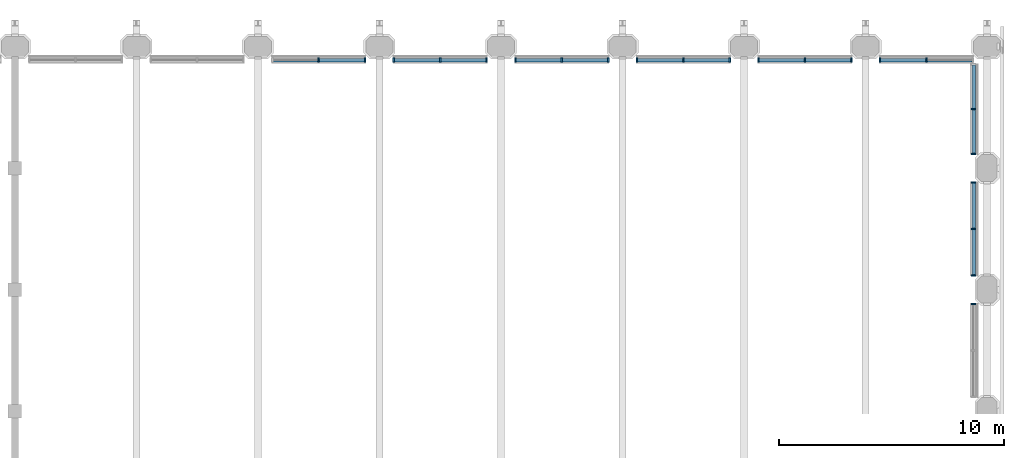
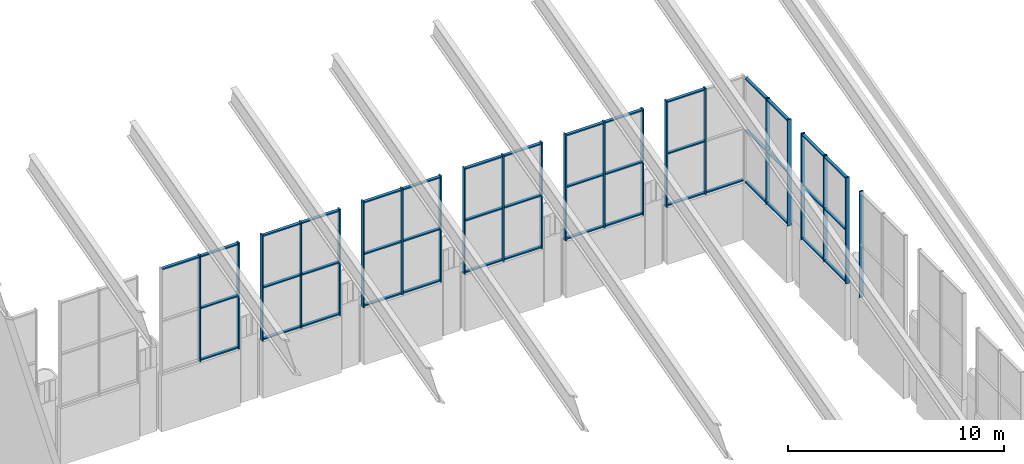
# One storey, part 22 of 42: 66 members, 9 elements without a shape of their own.
"""IFC4 building model written with IfcOpenShell, lengths in metres."""

import ifcopenshell
import ifcopenshell.guid

model = None  # the IFC model being written
_history = None  # IfcOwnerHistory: only IFC2X3 demands one
_inside = {}  # id of a spatial element -> (the spatial element, [elements in it])
_under = {}  # id of a project, library or spatial element -> (it, [spatial elements below it])
_declared = {}  # id of a project -> (the project, [libraries it declares])
_typed = {}  # id of a type object -> (the type object, [elements of that type])
_made_of = {}  # id of a material, layer set ... -> (it, [elements and type objects made of it])


def new_model(schema):
    """Start an empty IFC model of exactly this schema.

    Asked for "IFC4X3", IfcOpenShell would pick the latest addendum, in which some entities
    have other attributes; the version numbers below select the first issue.
    IFC2X3 requires an IfcOwnerHistory on every rooted entity: one is made here for all.
    """
    global model, _history
    if schema == "IFC4X3":
        model = ifcopenshell.file(schema_version=(4, 3, 0, 0))
    else:
        model = ifcopenshell.file(schema=schema)
    _inside.clear()
    _under.clear()
    _declared.clear()
    _typed.clear()
    _made_of.clear()
    _history = None
    if model.schema == "IFC2X3":
        org = make("IfcOrganization", Name="unknown")
        user = make(
            "IfcPersonAndOrganization",
            ThePerson=make("IfcPerson", FamilyName="unknown"),
            TheOrganization=org,
        )
        app = make(
            "IfcApplication",
            ApplicationDeveloper=org,
            Version="unknown",
            ApplicationFullName="unknown",
            ApplicationIdentifier="unknown",
        )
        _history = make(
            "IfcOwnerHistory",
            OwningUser=user,
            OwningApplication=app,
            ChangeAction="ADDED",
            CreationDate=0,
        )
    return model


def make(cls, **values):
    """One entity of the class cls with the attributes given. An attribute that is None is left unset."""
    return model.create_entity(
        cls, **{name: value for name, value in values.items() if value is not None}
    )


def rooted(cls, **values):
    """An entity with a GlobalId (a new one), such as an element, a storey or a relation."""
    return make(cls, GlobalId=ifcopenshell.guid.new(), OwnerHistory=_history, **values)


def si_unit(unit_type, name, prefix=None):
    """IfcSIUnit, for example si_unit("LENGTHUNIT", "METRE", prefix="MILLI")."""
    return make("IfcSIUnit", UnitType=unit_type, Prefix=prefix, Name=name)


def assignment(units):
    """IfcUnitAssignment: the units of a project."""
    return None if units is None else make("IfcUnitAssignment", Units=units)


def point(xyz):
    """IfcCartesianPoint."""
    return None if xyz is None else make("IfcCartesianPoint", Coordinates=xyz)


def direction(xyz):
    """IfcDirection."""
    return None if xyz is None else make("IfcDirection", DirectionRatios=xyz)


def frame(location, z_axis=None, x_axis=None):
    """IfcAxis2Placement3D, a coordinate frame: its origin and axes. An axis left out is left unset."""
    return make(
        "IfcAxis2Placement3D",
        Location=point(location),
        Axis=direction(z_axis),
        RefDirection=direction(x_axis),
    )


def frame_2d(location, x_axis=None):
    """IfcAxis2Placement2D, a coordinate frame in the plane: its origin and x axis."""
    return make(
        "IfcAxis2Placement2D", Location=point(location), RefDirection=direction(x_axis)
    )


def origin():
    """The frame at (0, 0, 0) with its axes left unset."""
    return frame((0.0, 0.0, 0.0))


def origin_2d():
    """The frame at (0, 0) in the plane with its x axis left unset."""
    return frame_2d((0.0, 0.0))


def place(relative_to, where):
    """IfcLocalPlacement: puts the frame where relative to a parent placement (None: the world)."""
    return make(
        "IfcLocalPlacement", PlacementRelTo=relative_to, RelativePlacement=where
    )


def context(
    kind, dimensions, precision=None, world=None, true_north=None, identifier=None
):
    """IfcGeometricRepresentationContext, for example the 3D "Model" context."""
    return make(
        "IfcGeometricRepresentationContext",
        ContextIdentifier=identifier,
        ContextType=kind,
        CoordinateSpaceDimension=dimensions,
        Precision=precision,
        WorldCoordinateSystem=world,
        TrueNorth=true_north,
    )


def subcontext(parent, identifier, kind, view, scale=None):
    """IfcGeometricRepresentationSubContext, for example "Body" below "Model"."""
    return make(
        "IfcGeometricRepresentationSubContext",
        ContextIdentifier=identifier,
        ContextType=kind,
        ParentContext=parent,
        TargetScale=scale,
        TargetView=view,
    )


def project(units=None, contexts=None):
    """IfcProject with its units and contexts."""
    return rooted(
        "IfcProject",
        Name="project",
        RepresentationContexts=contexts,
        UnitsInContext=assignment(units),
    )


def spatial(cls, under=None, at=None, **own):
    """A site, building, storey or space (cls), placed at a placement, below another one or the project."""
    s = rooted(cls, ObjectPlacement=at, **own)
    if under is not None:
        _under.setdefault(under.id(), (under, []))[1].append(s)
    return s


def profile(cls, at=None, kind="AREA", **sizes):
    """A parametric profile (cls). Its sizes go by their IFC names, for example OverallWidth=200.0."""
    return make(cls, ProfileType=kind, Position=at, **sizes)


def rectangle(**sizes):
    """IfcRectangleProfileDef."""
    return profile("IfcRectangleProfileDef", **sizes)


def extrude(swept, where, along, depth):
    """IfcExtrudedAreaSolid: the profile swept, set in the frame where, extruded along a direction by depth."""
    return make(
        "IfcExtrudedAreaSolid",
        SweptArea=swept,
        Position=where,
        ExtrudedDirection=direction(along),
        Depth=depth,
    )


def shape(context_of_items, identifier, shape_type, items):
    """IfcShapeRepresentation: the items that make up one representation, for example the "Body"."""
    return make(
        "IfcShapeRepresentation",
        ContextOfItems=context_of_items,
        RepresentationIdentifier=identifier,
        RepresentationType=shape_type,
        Items=items,
    )


def material(Name=None, Category=None):
    """IfcMaterial."""
    return make("IfcMaterial", Name=Name, Category=Category)


def material_profile(
    of_material, cross_section, Name=None, Category=None, Priority=None
):
    """IfcMaterialProfile: a cross section and its material."""
    return make(
        "IfcMaterialProfile",
        Name=Name,
        Material=of_material,
        Profile=cross_section,
        Priority=Priority,
        Category=Category,
    )


def profile_set(profiles, Name=None, composite=None):
    """IfcMaterialProfileSet."""
    return make(
        "IfcMaterialProfileSet",
        Name=Name,
        MaterialProfiles=profiles,
        CompositeProfile=composite,
    )


def made_of(thing, what):
    """Note that an element or type object is made of a material, layer set ...; save() writes the relation."""
    if what is not None:
        _made_of.setdefault(what.id(), (what, []))[1].append(thing)
    return thing


def type_object(cls, material=None, **own):
    """A type object (cls), such as IfcWallType, which elements share."""
    return made_of(rooted(cls, **own), material)


def element(
    cls,
    number,
    at=None,
    inside=None,
    cuts=None,
    type_object=None,
    material=None,
    context=None,
    identifier="Body",
    shape_type=None,
    held_by="IfcProductDefinitionShape",
    body=None,
    shapes=None,
    **own,
):
    """One element of the class cls, such as IfcWall. Its Tag is "e" and its number.

    at: its placement. inside: the storey or other place that contains it. cuts: it is an
    opening in that element (IfcRelVoidsElement). A single representation is given by context,
    identifier, shape_type and body (its items); several are given by shapes. held_by: the class
    of the entity that holds the representations. save() writes the other relations.
    """
    e = rooted(cls, Tag="e%d" % number, ObjectPlacement=at, **own)
    if body is not None:
        shapes = [shape(context, identifier, shape_type, body)]
    if shapes is not None:
        e.Representation = make(held_by, Representations=shapes)
    if inside is not None:
        _inside.setdefault(inside.id(), (inside, []))[1].append(e)
    if cuts is not None:
        rooted(
            "IfcRelVoidsElement", RelatingBuildingElement=cuts, RelatedOpeningElement=e
        )
    if type_object is not None:
        _typed.setdefault(type_object.id(), (type_object, []))[1].append(e)
    return made_of(e, material)


def aggregate(whole, parts):
    """IfcRelAggregates: a whole, such as a stair, and the parts it consists of."""
    return rooted("IfcRelAggregates", RelatingObject=whole, RelatedObjects=parts)


def save(model, path):
    """Write the relations noted so far, then the file.

    IfcRelAggregates (storeys below a building ...), IfcRelContainedInSpatialStructure (elements
    in a storey), IfcRelDefinesByType, IfcRelAssociatesMaterial and IfcRelDeclares: one each for
    every whole, place, type object, material and project.
    """
    for whole, parts in _under.values():
        aggregate(whole, parts)
    for where, things in _inside.values():
        rooted(
            "IfcRelContainedInSpatialStructure",
            RelatedElements=things,
            RelatingStructure=where,
        )
    for kind, things in _typed.values():
        rooted("IfcRelDefinesByType", RelatedObjects=things, RelatingType=kind)
    for what, things in _made_of.values():
        rooted("IfcRelAssociatesMaterial", RelatedObjects=things, RelatingMaterial=what)
    for by, libraries in _declared.values():
        rooted("IfcRelDeclares", RelatingContext=by, RelatedDefinitions=libraries)
    model.write(path)


model = new_model("IFC4")

# Units and contexts
model_context = context("Model", 3, precision=1e-05, world=origin(), true_north=direction((0.0, 1.0)))
body_context = subcontext(model_context, "Body", "Model", "MODEL_VIEW")
ifc_project = project(units=[si_unit("LENGTHUNIT", "METRE"), si_unit("AREAUNIT", "SQUARE_METRE"), si_unit("VOLUMEUNIT", "CUBIC_METRE"), si_unit("PLANEANGLEUNIT", "RADIAN"), si_unit("MASSUNIT", "GRAM", prefix="KILO")], contexts=[model_context])

# Site, building, storey
site_placement = place(None, origin())
site = spatial("IfcSite", under=ifc_project, at=site_placement, CompositionType="ELEMENT")
building_placement = place(site_placement, origin())
building = spatial("IfcBuilding", under=site, at=building_placement, Name="Tabaq Tower and Sports Hall", CompositionType="ELEMENT")
storey_placement = place(building_placement, frame((0.0, 0.0, 19.800048828125)))
storey = spatial("IfcBuildingStorey", under=building, at=storey_placement, Name="L03", CompositionType="ELEMENT", Elevation=19.800048828125)

# Curtain wall, members
ifc_material_1 = material(Name="Aluminium alloy 6063-T6 framed glazing", Category="aluminium")
curtain_wall_type = type_object("IfcCurtainWallType", Name="CW6 curtain wall", PredefinedType="USERDEFINED", material=ifc_material_1)
curtain_wall_1_placement = place(storey_placement, origin())
curtain_wall_1 = element("IfcCurtainWall", 1, at=curtain_wall_1_placement, inside=storey, type_object=curtain_wall_type, Name="L03 N hall glazing run", ObjectType="HALL FACADE WALL", PredefinedType="USERDEFINED")
ifc_material_2 = material(Name="Aluminium alloy 6063-T6", Category="aluminium")
ifc_material_profile_1 = material_profile(ifc_material_2, rectangle(XDim=0.199951171875, YDim=0.070068359375, at=origin_2d()), Name="MULLION 200x70")
ifc_profile_set_1 = profile_set([ifc_material_profile_1], Name="Aluminium alloy 6063-T6")
member_type_1 = type_object("IfcMemberType", Name="CW6 mullion 200x70", PredefinedType="MULLION", material=ifc_profile_set_1)
member_1_placement = place(storey_placement, frame((94.5, 42.60009765625, 3.199951171875), z_axis=(0.0, 0.0, 1.0), x_axis=(0.0, 1.0, 0.0)))
member_1 = element("IfcMember", 2, at=member_1_placement, type_object=member_type_1, Name="CW6 mullion 2", PredefinedType="MULLION", context=body_context, shape_type="SweptSolid", body=[
    extrude(rectangle(XDim=0.199951171875, YDim=0.070068359375, at=origin_2d()), origin(), (0.0, 0.0, 1.0), 6.0),
])
member_2_placement = place(storey_placement, frame((96.56494140625, 42.60009765625, 3.199951171875), z_axis=(0.0, 0.0, 1.0), x_axis=(0.0, 1.0, 0.0)))
member_2 = element("IfcMember", 3, at=member_2_placement, type_object=member_type_1, Name="CW6 mullion 3", PredefinedType="MULLION", context=body_context, shape_type="SweptSolid", body=[
    extrude(rectangle(XDim=0.199951171875, YDim=0.070068359375, at=origin_2d()), origin(), (0.0, 0.0, 1.0), 6.0),
])

curtain_wall_2_placement = place(storey_placement, origin())
curtain_wall_2 = element("IfcCurtainWall", 4, at=curtain_wall_2_placement, inside=storey, type_object=curtain_wall_type, Name="L03 N hall glazing run", ObjectType="HALL FACADE WALL", PredefinedType="USERDEFINED")
member_3_placement = place(storey_placement, frame((97.8349609375, 42.60009765625, 3.199951171875), z_axis=(0.0, 0.0, 1.0), x_axis=(0.0, 1.0, 0.0)))
member_3 = element("IfcMember", 5, at=member_3_placement, type_object=member_type_1, Name="CW6 mullion 1", PredefinedType="MULLION", context=body_context, shape_type="SweptSolid", body=[
    extrude(rectangle(XDim=0.199951171875, YDim=0.070068359375, at=origin_2d()), origin(), (0.0, 0.0, 1.0), 6.0),
])
member_4_placement = place(storey_placement, frame((99.89990234375, 42.60009765625, 3.199951171875), z_axis=(0.0, 0.0, 1.0), x_axis=(0.0, 1.0, 0.0)))
member_4 = element("IfcMember", 6, at=member_4_placement, type_object=member_type_1, Name="CW6 mullion 2", PredefinedType="MULLION", context=body_context, shape_type="SweptSolid", body=[
    extrude(rectangle(XDim=0.199951171875, YDim=0.070068359375, at=origin_2d()), origin(), (0.0, 0.0, 1.0), 6.0),
])
member_5_placement = place(storey_placement, frame((101.965087890625, 42.60009765625, 3.199951171875), z_axis=(0.0, 0.0, 1.0), x_axis=(0.0, 1.0, 0.0)))
member_5 = element("IfcMember", 7, at=member_5_placement, type_object=member_type_1, Name="CW6 mullion 3", PredefinedType="MULLION", context=body_context, shape_type="SweptSolid", body=[
    extrude(rectangle(XDim=0.199951171875, YDim=0.070068359375, at=origin_2d()), origin(), (0.0, 0.0, 1.0), 6.0),
])

curtain_wall_3_placement = place(storey_placement, origin())
curtain_wall_3 = element("IfcCurtainWall", 8, at=curtain_wall_3_placement, inside=storey, type_object=curtain_wall_type, Name="L03 N hall glazing run", ObjectType="HALL FACADE WALL", PredefinedType="USERDEFINED")
member_6_placement = place(storey_placement, frame((103.235107421875, 42.60009765625, 3.199951171875), z_axis=(0.0, 0.0, 1.0), x_axis=(0.0, 1.0, 0.0)))
member_6 = element("IfcMember", 9, at=member_6_placement, type_object=member_type_1, Name="CW6 mullion 1", PredefinedType="MULLION", context=body_context, shape_type="SweptSolid", body=[
    extrude(rectangle(XDim=0.199951171875, YDim=0.070068359375, at=origin_2d()), origin(), (0.0, 0.0, 1.0), 6.0),
])
member_7_placement = place(storey_placement, frame((105.300048828125, 42.60009765625, 3.199951171875), z_axis=(0.0, 0.0, 1.0), x_axis=(0.0, 1.0, 0.0)))
member_7 = element("IfcMember", 10, at=member_7_placement, type_object=member_type_1, Name="CW6 mullion 2", PredefinedType="MULLION", context=body_context, shape_type="SweptSolid", body=[
    extrude(rectangle(XDim=0.199951171875, YDim=0.070068359375, at=origin_2d()), origin(), (0.0, 0.0, 1.0), 6.0),
])
member_8_placement = place(storey_placement, frame((107.364990234375, 42.60009765625, 3.199951171875), z_axis=(0.0, 0.0, 1.0), x_axis=(0.0, 1.0, 0.0)))
member_8 = element("IfcMember", 11, at=member_8_placement, type_object=member_type_1, Name="CW6 mullion 3", PredefinedType="MULLION", context=body_context, shape_type="SweptSolid", body=[
    extrude(rectangle(XDim=0.199951171875, YDim=0.070068359375, at=origin_2d()), origin(), (0.0, 0.0, 1.0), 6.0),
])

curtain_wall_4_placement = place(storey_placement, origin())
curtain_wall_4 = element("IfcCurtainWall", 12, at=curtain_wall_4_placement, inside=storey, type_object=curtain_wall_type, Name="L03 N hall glazing run", ObjectType="HALL FACADE WALL", PredefinedType="USERDEFINED")
member_9_placement = place(storey_placement, frame((108.635009765625, 42.60009765625, 3.199951171875), z_axis=(0.0, 0.0, 1.0), x_axis=(0.0, 1.0, 0.0)))
member_9 = element("IfcMember", 13, at=member_9_placement, type_object=member_type_1, Name="CW6 mullion 1", PredefinedType="MULLION", context=body_context, shape_type="SweptSolid", body=[
    extrude(rectangle(XDim=0.199951171875, YDim=0.070068359375, at=origin_2d()), origin(), (0.0, 0.0, 1.0), 6.0),
])
member_10_placement = place(storey_placement, frame((110.699951171875, 42.60009765625, 3.199951171875), z_axis=(0.0, 0.0, 1.0), x_axis=(0.0, 1.0, 0.0)))
member_10 = element("IfcMember", 14, at=member_10_placement, type_object=member_type_1, Name="CW6 mullion 2", PredefinedType="MULLION", context=body_context, shape_type="SweptSolid", body=[
    extrude(rectangle(XDim=0.199951171875, YDim=0.070068359375, at=origin_2d()), origin(), (0.0, 0.0, 1.0), 6.0),
])
member_11_placement = place(storey_placement, frame((112.764892578125, 42.60009765625, 3.199951171875), z_axis=(0.0, 0.0, 1.0), x_axis=(0.0, 1.0, 0.0)))
member_11 = element("IfcMember", 15, at=member_11_placement, type_object=member_type_1, Name="CW6 mullion 3", PredefinedType="MULLION", context=body_context, shape_type="SweptSolid", body=[
    extrude(rectangle(XDim=0.199951171875, YDim=0.070068359375, at=origin_2d()), origin(), (0.0, 0.0, 1.0), 6.0),
])

curtain_wall_5_placement = place(storey_placement, origin())
curtain_wall_5 = element("IfcCurtainWall", 16, at=curtain_wall_5_placement, inside=storey, type_object=curtain_wall_type, Name="L03 N hall glazing run", ObjectType="HALL FACADE WALL", PredefinedType="USERDEFINED")
member_12_placement = place(storey_placement, frame((114.034912109375, 42.60009765625, 3.199951171875), z_axis=(0.0, 0.0, 1.0), x_axis=(0.0, 1.0, 0.0)))
member_12 = element("IfcMember", 17, at=member_12_placement, type_object=member_type_1, Name="CW6 mullion 1", PredefinedType="MULLION", context=body_context, shape_type="SweptSolid", body=[
    extrude(rectangle(XDim=0.199951171875, YDim=0.070068359375, at=origin_2d()), origin(), (0.0, 0.0, 1.0), 6.0),
])
member_13_placement = place(storey_placement, frame((116.10009765625, 42.60009765625, 3.199951171875), z_axis=(0.0, 0.0, 1.0), x_axis=(0.0, 1.0, 0.0)))
member_13 = element("IfcMember", 18, at=member_13_placement, type_object=member_type_1, Name="CW6 mullion 2", PredefinedType="MULLION", context=body_context, shape_type="SweptSolid", body=[
    extrude(rectangle(XDim=0.199951171875, YDim=0.070068359375, at=origin_2d()), origin(), (0.0, 0.0, 1.0), 6.0),
])
member_14_placement = place(storey_placement, frame((118.1650390625, 42.60009765625, 3.199951171875), z_axis=(0.0, 0.0, 1.0), x_axis=(0.0, 1.0, 0.0)))
member_14 = element("IfcMember", 19, at=member_14_placement, type_object=member_type_1, Name="CW6 mullion 3", PredefinedType="MULLION", context=body_context, shape_type="SweptSolid", body=[
    extrude(rectangle(XDim=0.199951171875, YDim=0.070068359375, at=origin_2d()), origin(), (0.0, 0.0, 1.0), 6.0),
])

curtain_wall_6_placement = place(storey_placement, origin())
curtain_wall_6 = element("IfcCurtainWall", 20, at=curtain_wall_6_placement, inside=storey, type_object=curtain_wall_type, Name="L03 N hall glazing run", ObjectType="HALL FACADE WALL", PredefinedType="USERDEFINED")
member_15_placement = place(storey_placement, frame((119.43505859375, 42.60009765625, 3.199951171875), z_axis=(0.0, 0.0, 1.0), x_axis=(0.0, 1.0, 0.0)))
member_15 = element("IfcMember", 21, at=member_15_placement, type_object=member_type_1, Name="CW6 mullion 1", PredefinedType="MULLION", context=body_context, shape_type="SweptSolid", body=[
    extrude(rectangle(XDim=0.199951171875, YDim=0.070068359375, at=origin_2d()), origin(), (0.0, 0.0, 1.0), 6.0),
])
member_16_placement = place(storey_placement, frame((121.5, 42.60009765625, 3.199951171875), z_axis=(0.0, 0.0, 1.0), x_axis=(0.0, 1.0, 0.0)))
member_16 = element("IfcMember", 22, at=member_16_placement, type_object=member_type_1, Name="CW6 mullion 2", PredefinedType="MULLION", context=body_context, shape_type="SweptSolid", body=[
    extrude(rectangle(XDim=0.199951171875, YDim=0.070068359375, at=origin_2d()), origin(), (0.0, 0.0, 1.0), 6.0),
])

# Curtain wall, member
curtain_wall_7_placement = place(storey_placement, origin())
curtain_wall_7 = element("IfcCurtainWall", 23, at=curtain_wall_7_placement, inside=storey, type_object=curtain_wall_type, Name="L03 E hall glazing run", ObjectType="HALL FACADE WALL", PredefinedType="USERDEFINED")
member_17_placement = place(storey_placement, frame((123.60009765625, 31.764892578125, 3.199951171875), z_axis=(0.0, 0.0, 1.0), x_axis=(-1.0, 0.0, 0.0)))
member_17 = element("IfcMember", 24, at=member_17_placement, type_object=member_type_1, Name="CW6 mullion 3", PredefinedType="MULLION", context=body_context, shape_type="SweptSolid", body=[
    extrude(rectangle(XDim=0.199951171875, YDim=0.070068359375, at=origin_2d()), origin(), (0.0, 0.0, 1.0), 6.0),
])
aggregate(curtain_wall_7, [member_17])

# Curtain wall, members
curtain_wall_8_placement = place(storey_placement, origin())
curtain_wall_8 = element("IfcCurtainWall", 25, at=curtain_wall_8_placement, inside=storey, type_object=curtain_wall_type, Name="L03 E hall glazing run", ObjectType="HALL FACADE WALL", PredefinedType="USERDEFINED")
member_18_placement = place(storey_placement, frame((123.60009765625, 33.034912109375, 3.199951171875), z_axis=(0.0, 0.0, 1.0), x_axis=(-1.0, 0.0, 0.0)))
member_18 = element("IfcMember", 26, at=member_18_placement, type_object=member_type_1, Name="CW6 mullion 1", PredefinedType="MULLION", context=body_context, shape_type="SweptSolid", body=[
    extrude(rectangle(XDim=0.199951171875, YDim=0.070068359375, at=origin_2d()), origin(), (0.0, 0.0, 1.0), 6.0),
])
member_19_placement = place(storey_placement, frame((123.60009765625, 35.10009765625, 3.199951171875), z_axis=(0.0, 0.0, 1.0), x_axis=(-1.0, 0.0, 0.0)))
member_19 = element("IfcMember", 27, at=member_19_placement, type_object=member_type_1, Name="CW6 mullion 2", PredefinedType="MULLION", context=body_context, shape_type="SweptSolid", body=[
    extrude(rectangle(XDim=0.199951171875, YDim=0.070068359375, at=origin_2d()), origin(), (0.0, 0.0, 1.0), 6.0),
])
member_20_placement = place(storey_placement, frame((123.60009765625, 37.1650390625, 3.199951171875), z_axis=(0.0, 0.0, 1.0), x_axis=(-1.0, 0.0, 0.0)))
member_20 = element("IfcMember", 28, at=member_20_placement, type_object=member_type_1, Name="CW6 mullion 3", PredefinedType="MULLION", context=body_context, shape_type="SweptSolid", body=[
    extrude(rectangle(XDim=0.199951171875, YDim=0.070068359375, at=origin_2d()), origin(), (0.0, 0.0, 1.0), 6.0),
])

curtain_wall_9_placement = place(storey_placement, origin())
curtain_wall_9 = element("IfcCurtainWall", 29, at=curtain_wall_9_placement, inside=storey, type_object=curtain_wall_type, Name="L03 E hall glazing run", ObjectType="HALL FACADE WALL", PredefinedType="USERDEFINED")
member_21_placement = place(storey_placement, frame((123.60009765625, 38.43505859375, 3.199951171875), z_axis=(0.0, 0.0, 1.0), x_axis=(-1.0, 0.0, 0.0)))
member_21 = element("IfcMember", 30, at=member_21_placement, type_object=member_type_1, Name="CW6 mullion 1", PredefinedType="MULLION", context=body_context, shape_type="SweptSolid", body=[
    extrude(rectangle(XDim=0.199951171875, YDim=0.070068359375, at=origin_2d()), origin(), (0.0, 0.0, 1.0), 6.0),
])
member_22_placement = place(storey_placement, frame((123.60009765625, 40.425048828125, 3.199951171875), z_axis=(0.0, 0.0, 1.0), x_axis=(-1.0, 0.0, 0.0)))
member_22 = element("IfcMember", 31, at=member_22_placement, type_object=member_type_1, Name="CW6 mullion 2", PredefinedType="MULLION", context=body_context, shape_type="SweptSolid", body=[
    extrude(rectangle(XDim=0.199951171875, YDim=0.070068359375, at=origin_2d()), origin(), (0.0, 0.0, 1.0), 6.0),
])

# Member
ifc_material_3 = material(Name="Aluminium alloy 6063-T6", Category="aluminium")
ifc_material_profile_2 = material_profile(ifc_material_3, rectangle(XDim=0.159912109375, YDim=0.070068359375, at=origin_2d()), Name="TRANSOM 160x70")
ifc_profile_set_2 = profile_set([ifc_material_profile_2], Name="Aluminium alloy 6063-T6")
member_type_2 = type_object("IfcMemberType", Name="CW6 transom 160x70", PredefinedType="USERDEFINED", material=ifc_profile_set_2)
member_23_placement = place(storey_placement, frame((92.469970703125, 42.60009765625, 9.119873046875), z_axis=(1.0, 0.0, 0.0), x_axis=(0.0, 1.0, 0.0)))
member_23 = element("IfcMember", 32, at=member_23_placement, type_object=member_type_2, Name="CW6 transom 1.3", ObjectType="TRANSOM", PredefinedType="USERDEFINED", context=body_context, shape_type="SweptSolid", body=[
    extrude(rectangle(XDim=0.159912109375, YDim=0.070068359375, at=origin_2d()), origin(), (0.0, 0.0, 1.0), 1.9951171875),
])

member_24_placement = place(storey_placement, frame((94.534912109375, 42.60009765625, 3.280029296875), z_axis=(1.0, 0.0, 0.0), x_axis=(0.0, 1.0, 0.0)))
member_24 = element("IfcMember", 33, at=member_24_placement, type_object=member_type_2, Name="CW6 transom 2.1", ObjectType="TRANSOM", PredefinedType="USERDEFINED", context=body_context, shape_type="SweptSolid", body=[
    extrude(rectangle(XDim=0.159912109375, YDim=0.070068359375, at=origin_2d()), origin(), (0.0, 0.0, 1.0), 1.9951171875),
])

member_25_placement = place(storey_placement, frame((94.534912109375, 42.60009765625, 6.199951171875), z_axis=(1.0, 0.0, 0.0), x_axis=(0.0, 1.0, 0.0)))
member_25 = element("IfcMember", 34, at=member_25_placement, type_object=member_type_2, Name="CW6 transom 2.2", ObjectType="TRANSOM", PredefinedType="USERDEFINED", context=body_context, shape_type="SweptSolid", body=[
    extrude(rectangle(XDim=0.159912109375, YDim=0.070068359375, at=origin_2d()), origin(), (0.0, 0.0, 1.0), 1.9951171875),
])

member_26_placement = place(storey_placement, frame((94.534912109375, 42.60009765625, 9.119873046875), z_axis=(1.0, 0.0, 0.0), x_axis=(0.0, 1.0, 0.0)))
member_26 = element("IfcMember", 35, at=member_26_placement, type_object=member_type_2, Name="CW6 transom 2.3", ObjectType="TRANSOM", PredefinedType="USERDEFINED", context=body_context, shape_type="SweptSolid", body=[
    extrude(rectangle(XDim=0.159912109375, YDim=0.070068359375, at=origin_2d()), origin(), (0.0, 0.0, 1.0), 1.9951171875),
])

aggregate(curtain_wall_1, [member_1, member_2, member_23, member_24, member_25, member_26])

member_27_placement = place(storey_placement, frame((97.8701171875, 42.60009765625, 3.280029296875), z_axis=(1.0, 0.0, 0.0), x_axis=(0.0, 1.0, 0.0)))
member_27 = element("IfcMember", 36, at=member_27_placement, type_object=member_type_2, Name="CW6 transom 1.1", ObjectType="TRANSOM", PredefinedType="USERDEFINED", context=body_context, shape_type="SweptSolid", body=[
    extrude(rectangle(XDim=0.159912109375, YDim=0.070068359375, at=origin_2d()), origin(), (0.0, 0.0, 1.0), 1.994873046875),
])

member_28_placement = place(storey_placement, frame((97.8701171875, 42.60009765625, 6.199951171875), z_axis=(1.0, 0.0, 0.0), x_axis=(0.0, 1.0, 0.0)))
member_28 = element("IfcMember", 37, at=member_28_placement, type_object=member_type_2, Name="CW6 transom 1.2", ObjectType="TRANSOM", PredefinedType="USERDEFINED", context=body_context, shape_type="SweptSolid", body=[
    extrude(rectangle(XDim=0.159912109375, YDim=0.070068359375, at=origin_2d()), origin(), (0.0, 0.0, 1.0), 1.994873046875),
])

member_29_placement = place(storey_placement, frame((97.8701171875, 42.60009765625, 9.119873046875), z_axis=(1.0, 0.0, 0.0), x_axis=(0.0, 1.0, 0.0)))
member_29 = element("IfcMember", 38, at=member_29_placement, type_object=member_type_2, Name="CW6 transom 1.3", ObjectType="TRANSOM", PredefinedType="USERDEFINED", context=body_context, shape_type="SweptSolid", body=[
    extrude(rectangle(XDim=0.159912109375, YDim=0.070068359375, at=origin_2d()), origin(), (0.0, 0.0, 1.0), 1.994873046875),
])

member_30_placement = place(storey_placement, frame((99.93505859375, 42.60009765625, 3.280029296875), z_axis=(1.0, 0.0, 0.0), x_axis=(0.0, 1.0, 0.0)))
member_30 = element("IfcMember", 39, at=member_30_placement, type_object=member_type_2, Name="CW6 transom 2.1", ObjectType="TRANSOM", PredefinedType="USERDEFINED", context=body_context, shape_type="SweptSolid", body=[
    extrude(rectangle(XDim=0.159912109375, YDim=0.070068359375, at=origin_2d()), origin(), (0.0, 0.0, 1.0), 1.994873046875),
])

member_31_placement = place(storey_placement, frame((99.93505859375, 42.60009765625, 6.199951171875), z_axis=(1.0, 0.0, 0.0), x_axis=(0.0, 1.0, 0.0)))
member_31 = element("IfcMember", 40, at=member_31_placement, type_object=member_type_2, Name="CW6 transom 2.2", ObjectType="TRANSOM", PredefinedType="USERDEFINED", context=body_context, shape_type="SweptSolid", body=[
    extrude(rectangle(XDim=0.159912109375, YDim=0.070068359375, at=origin_2d()), origin(), (0.0, 0.0, 1.0), 1.994873046875),
])

member_32_placement = place(storey_placement, frame((99.93505859375, 42.60009765625, 9.119873046875), z_axis=(1.0, 0.0, 0.0), x_axis=(0.0, 1.0, 0.0)))
member_32 = element("IfcMember", 41, at=member_32_placement, type_object=member_type_2, Name="CW6 transom 2.3", ObjectType="TRANSOM", PredefinedType="USERDEFINED", context=body_context, shape_type="SweptSolid", body=[
    extrude(rectangle(XDim=0.159912109375, YDim=0.070068359375, at=origin_2d()), origin(), (0.0, 0.0, 1.0), 1.994873046875),
])

aggregate(curtain_wall_2, [member_3, member_4, member_5, member_27, member_28, member_29, member_30, member_31, member_32])

member_33_placement = place(storey_placement, frame((103.27001953125, 42.60009765625, 3.280029296875), z_axis=(1.0, 0.0, 0.0), x_axis=(0.0, 1.0, 0.0)))
member_33 = element("IfcMember", 42, at=member_33_placement, type_object=member_type_2, Name="CW6 transom 1.1", ObjectType="TRANSOM", PredefinedType="USERDEFINED", context=body_context, shape_type="SweptSolid", body=[
    extrude(rectangle(XDim=0.159912109375, YDim=0.070068359375, at=origin_2d()), origin(), (0.0, 0.0, 1.0), 1.994873046875),
])

member_34_placement = place(storey_placement, frame((103.27001953125, 42.60009765625, 6.199951171875), z_axis=(1.0, 0.0, 0.0), x_axis=(0.0, 1.0, 0.0)))
member_34 = element("IfcMember", 43, at=member_34_placement, type_object=member_type_2, Name="CW6 transom 1.2", ObjectType="TRANSOM", PredefinedType="USERDEFINED", context=body_context, shape_type="SweptSolid", body=[
    extrude(rectangle(XDim=0.159912109375, YDim=0.070068359375, at=origin_2d()), origin(), (0.0, 0.0, 1.0), 1.994873046875),
])

member_35_placement = place(storey_placement, frame((103.27001953125, 42.60009765625, 9.119873046875), z_axis=(1.0, 0.0, 0.0), x_axis=(0.0, 1.0, 0.0)))
member_35 = element("IfcMember", 44, at=member_35_placement, type_object=member_type_2, Name="CW6 transom 1.3", ObjectType="TRANSOM", PredefinedType="USERDEFINED", context=body_context, shape_type="SweptSolid", body=[
    extrude(rectangle(XDim=0.159912109375, YDim=0.070068359375, at=origin_2d()), origin(), (0.0, 0.0, 1.0), 1.994873046875),
])

member_36_placement = place(storey_placement, frame((105.3349609375, 42.60009765625, 3.280029296875), z_axis=(1.0, 0.0, 0.0), x_axis=(0.0, 1.0, 0.0)))
member_36 = element("IfcMember", 45, at=member_36_placement, type_object=member_type_2, Name="CW6 transom 2.1", ObjectType="TRANSOM", PredefinedType="USERDEFINED", context=body_context, shape_type="SweptSolid", body=[
    extrude(rectangle(XDim=0.159912109375, YDim=0.070068359375, at=origin_2d()), origin(), (0.0, 0.0, 1.0), 1.9951171875),
])

member_37_placement = place(storey_placement, frame((105.3349609375, 42.60009765625, 6.199951171875), z_axis=(1.0, 0.0, 0.0), x_axis=(0.0, 1.0, 0.0)))
member_37 = element("IfcMember", 46, at=member_37_placement, type_object=member_type_2, Name="CW6 transom 2.2", ObjectType="TRANSOM", PredefinedType="USERDEFINED", context=body_context, shape_type="SweptSolid", body=[
    extrude(rectangle(XDim=0.159912109375, YDim=0.070068359375, at=origin_2d()), origin(), (0.0, 0.0, 1.0), 1.9951171875),
])

member_38_placement = place(storey_placement, frame((105.3349609375, 42.60009765625, 9.119873046875), z_axis=(1.0, 0.0, 0.0), x_axis=(0.0, 1.0, 0.0)))
member_38 = element("IfcMember", 47, at=member_38_placement, type_object=member_type_2, Name="CW6 transom 2.3", ObjectType="TRANSOM", PredefinedType="USERDEFINED", context=body_context, shape_type="SweptSolid", body=[
    extrude(rectangle(XDim=0.159912109375, YDim=0.070068359375, at=origin_2d()), origin(), (0.0, 0.0, 1.0), 1.9951171875),
])

aggregate(curtain_wall_3, [member_6, member_7, member_8, member_33, member_34, member_35, member_36, member_37, member_38])

member_39_placement = place(storey_placement, frame((108.669921875, 42.60009765625, 3.280029296875), z_axis=(1.0, 0.0, 0.0), x_axis=(0.0, 1.0, 0.0)))
member_39 = element("IfcMember", 48, at=member_39_placement, type_object=member_type_2, Name="CW6 transom 1.1", ObjectType="TRANSOM", PredefinedType="USERDEFINED", context=body_context, shape_type="SweptSolid", body=[
    extrude(rectangle(XDim=0.159912109375, YDim=0.070068359375, at=origin_2d()), origin(), (0.0, 0.0, 1.0), 1.9951171875),
])

member_40_placement = place(storey_placement, frame((108.669921875, 42.60009765625, 6.199951171875), z_axis=(1.0, 0.0, 0.0), x_axis=(0.0, 1.0, 0.0)))
member_40 = element("IfcMember", 49, at=member_40_placement, type_object=member_type_2, Name="CW6 transom 1.2", ObjectType="TRANSOM", PredefinedType="USERDEFINED", context=body_context, shape_type="SweptSolid", body=[
    extrude(rectangle(XDim=0.159912109375, YDim=0.070068359375, at=origin_2d()), origin(), (0.0, 0.0, 1.0), 1.9951171875),
])

member_41_placement = place(storey_placement, frame((108.669921875, 42.60009765625, 9.119873046875), z_axis=(1.0, 0.0, 0.0), x_axis=(0.0, 1.0, 0.0)))
member_41 = element("IfcMember", 50, at=member_41_placement, type_object=member_type_2, Name="CW6 transom 1.3", ObjectType="TRANSOM", PredefinedType="USERDEFINED", context=body_context, shape_type="SweptSolid", body=[
    extrude(rectangle(XDim=0.159912109375, YDim=0.070068359375, at=origin_2d()), origin(), (0.0, 0.0, 1.0), 1.9951171875),
])

member_42_placement = place(storey_placement, frame((110.735107421875, 42.60009765625, 3.280029296875), z_axis=(1.0, 0.0, 0.0), x_axis=(0.0, 1.0, 0.0)))
member_42 = element("IfcMember", 51, at=member_42_placement, type_object=member_type_2, Name="CW6 transom 2.1", ObjectType="TRANSOM", PredefinedType="USERDEFINED", context=body_context, shape_type="SweptSolid", body=[
    extrude(rectangle(XDim=0.159912109375, YDim=0.070068359375, at=origin_2d()), origin(), (0.0, 0.0, 1.0), 1.994873046875),
])

member_43_placement = place(storey_placement, frame((110.735107421875, 42.60009765625, 6.199951171875), z_axis=(1.0, 0.0, 0.0), x_axis=(0.0, 1.0, 0.0)))
member_43 = element("IfcMember", 52, at=member_43_placement, type_object=member_type_2, Name="CW6 transom 2.2", ObjectType="TRANSOM", PredefinedType="USERDEFINED", context=body_context, shape_type="SweptSolid", body=[
    extrude(rectangle(XDim=0.159912109375, YDim=0.070068359375, at=origin_2d()), origin(), (0.0, 0.0, 1.0), 1.994873046875),
])

member_44_placement = place(storey_placement, frame((110.735107421875, 42.60009765625, 9.119873046875), z_axis=(1.0, 0.0, 0.0), x_axis=(0.0, 1.0, 0.0)))
member_44 = element("IfcMember", 53, at=member_44_placement, type_object=member_type_2, Name="CW6 transom 2.3", ObjectType="TRANSOM", PredefinedType="USERDEFINED", context=body_context, shape_type="SweptSolid", body=[
    extrude(rectangle(XDim=0.159912109375, YDim=0.070068359375, at=origin_2d()), origin(), (0.0, 0.0, 1.0), 1.994873046875),
])

aggregate(curtain_wall_4, [member_9, member_10, member_11, member_39, member_40, member_41, member_42, member_43, member_44])

member_45_placement = place(storey_placement, frame((114.070068359375, 42.60009765625, 3.280029296875), z_axis=(1.0, 0.0, 0.0), x_axis=(0.0, 1.0, 0.0)))
member_45 = element("IfcMember", 54, at=member_45_placement, type_object=member_type_2, Name="CW6 transom 1.1", ObjectType="TRANSOM", PredefinedType="USERDEFINED", context=body_context, shape_type="SweptSolid", body=[
    extrude(rectangle(XDim=0.159912109375, YDim=0.070068359375, at=origin_2d()), origin(), (0.0, 0.0, 1.0), 1.994873046875),
])

member_46_placement = place(storey_placement, frame((114.070068359375, 42.60009765625, 6.199951171875), z_axis=(1.0, 0.0, 0.0), x_axis=(0.0, 1.0, 0.0)))
member_46 = element("IfcMember", 55, at=member_46_placement, type_object=member_type_2, Name="CW6 transom 1.2", ObjectType="TRANSOM", PredefinedType="USERDEFINED", context=body_context, shape_type="SweptSolid", body=[
    extrude(rectangle(XDim=0.159912109375, YDim=0.070068359375, at=origin_2d()), origin(), (0.0, 0.0, 1.0), 1.994873046875),
])

member_47_placement = place(storey_placement, frame((114.070068359375, 42.60009765625, 9.119873046875), z_axis=(1.0, 0.0, 0.0), x_axis=(0.0, 1.0, 0.0)))
member_47 = element("IfcMember", 56, at=member_47_placement, type_object=member_type_2, Name="CW6 transom 1.3", ObjectType="TRANSOM", PredefinedType="USERDEFINED", context=body_context, shape_type="SweptSolid", body=[
    extrude(rectangle(XDim=0.159912109375, YDim=0.070068359375, at=origin_2d()), origin(), (0.0, 0.0, 1.0), 1.994873046875),
])

member_48_placement = place(storey_placement, frame((116.135009765625, 42.60009765625, 3.280029296875), z_axis=(1.0, 0.0, 0.0), x_axis=(0.0, 1.0, 0.0)))
member_48 = element("IfcMember", 57, at=member_48_placement, type_object=member_type_2, Name="CW6 transom 2.1", ObjectType="TRANSOM", PredefinedType="USERDEFINED", context=body_context, shape_type="SweptSolid", body=[
    extrude(rectangle(XDim=0.159912109375, YDim=0.070068359375, at=origin_2d()), origin(), (0.0, 0.0, 1.0), 1.994873046875),
])

member_49_placement = place(storey_placement, frame((116.135009765625, 42.60009765625, 6.199951171875), z_axis=(1.0, 0.0, 0.0), x_axis=(0.0, 1.0, 0.0)))
member_49 = element("IfcMember", 58, at=member_49_placement, type_object=member_type_2, Name="CW6 transom 2.2", ObjectType="TRANSOM", PredefinedType="USERDEFINED", context=body_context, shape_type="SweptSolid", body=[
    extrude(rectangle(XDim=0.159912109375, YDim=0.070068359375, at=origin_2d()), origin(), (0.0, 0.0, 1.0), 1.994873046875),
])

member_50_placement = place(storey_placement, frame((116.135009765625, 42.60009765625, 9.119873046875), z_axis=(1.0, 0.0, 0.0), x_axis=(0.0, 1.0, 0.0)))
member_50 = element("IfcMember", 59, at=member_50_placement, type_object=member_type_2, Name="CW6 transom 2.3", ObjectType="TRANSOM", PredefinedType="USERDEFINED", context=body_context, shape_type="SweptSolid", body=[
    extrude(rectangle(XDim=0.159912109375, YDim=0.070068359375, at=origin_2d()), origin(), (0.0, 0.0, 1.0), 1.994873046875),
])

aggregate(curtain_wall_5, [member_12, member_13, member_14, member_45, member_46, member_47, member_48, member_49, member_50])

member_51_placement = place(storey_placement, frame((119.469970703125, 42.60009765625, 3.280029296875), z_axis=(1.0, 0.0, 0.0), x_axis=(0.0, 1.0, 0.0)))
member_51 = element("IfcMember", 60, at=member_51_placement, type_object=member_type_2, Name="CW6 transom 1.1", ObjectType="TRANSOM", PredefinedType="USERDEFINED", context=body_context, shape_type="SweptSolid", body=[
    extrude(rectangle(XDim=0.159912109375, YDim=0.070068359375, at=origin_2d()), origin(), (0.0, 0.0, 1.0), 1.9951171875),
])

member_52_placement = place(storey_placement, frame((119.469970703125, 42.60009765625, 6.199951171875), z_axis=(1.0, 0.0, 0.0), x_axis=(0.0, 1.0, 0.0)))
member_52 = element("IfcMember", 61, at=member_52_placement, type_object=member_type_2, Name="CW6 transom 1.2", ObjectType="TRANSOM", PredefinedType="USERDEFINED", context=body_context, shape_type="SweptSolid", body=[
    extrude(rectangle(XDim=0.159912109375, YDim=0.070068359375, at=origin_2d()), origin(), (0.0, 0.0, 1.0), 1.9951171875),
])

member_53_placement = place(storey_placement, frame((119.469970703125, 42.60009765625, 9.119873046875), z_axis=(1.0, 0.0, 0.0), x_axis=(0.0, 1.0, 0.0)))
member_53 = element("IfcMember", 62, at=member_53_placement, type_object=member_type_2, Name="CW6 transom 1.3", ObjectType="TRANSOM", PredefinedType="USERDEFINED", context=body_context, shape_type="SweptSolid", body=[
    extrude(rectangle(XDim=0.159912109375, YDim=0.070068359375, at=origin_2d()), origin(), (0.0, 0.0, 1.0), 1.9951171875),
])

member_54_placement = place(storey_placement, frame((121.534912109375, 42.60009765625, 3.280029296875), z_axis=(1.0, 0.0, 0.0), x_axis=(0.0, 1.0, 0.0)))
member_54 = element("IfcMember", 63, at=member_54_placement, type_object=member_type_2, Name="CW6 transom 2.1", ObjectType="TRANSOM", PredefinedType="USERDEFINED", context=body_context, shape_type="SweptSolid", body=[
    extrude(rectangle(XDim=0.159912109375, YDim=0.070068359375, at=origin_2d()), origin(), (0.0, 0.0, 1.0), 1.9951171875),
])

aggregate(curtain_wall_6, [member_15, member_16, member_51, member_52, member_53, member_54])

member_55_placement = place(storey_placement, frame((123.60009765625, 33.070068359375, 3.280029296875), z_axis=(0.0, 1.0, 0.0), x_axis=(-1.0, 0.0, 0.0)))
member_55 = element("IfcMember", 64, at=member_55_placement, type_object=member_type_2, Name="CW6 transom 1.1", ObjectType="TRANSOM", PredefinedType="USERDEFINED", context=body_context, shape_type="SweptSolid", body=[
    extrude(rectangle(XDim=0.159912109375, YDim=0.070068359375, at=origin_2d()), origin(), (0.0, 0.0, 1.0), 1.994873046875),
])

member_56_placement = place(storey_placement, frame((123.60009765625, 33.070068359375, 6.199951171875), z_axis=(0.0, 1.0, 0.0), x_axis=(-1.0, 0.0, 0.0)))
member_56 = element("IfcMember", 65, at=member_56_placement, type_object=member_type_2, Name="CW6 transom 1.2", ObjectType="TRANSOM", PredefinedType="USERDEFINED", context=body_context, shape_type="SweptSolid", body=[
    extrude(rectangle(XDim=0.159912109375, YDim=0.070068359375, at=origin_2d()), origin(), (0.0, 0.0, 1.0), 1.994873046875),
])

member_57_placement = place(storey_placement, frame((123.60009765625, 33.070068359375, 9.119873046875), z_axis=(0.0, 1.0, 0.0), x_axis=(-1.0, 0.0, 0.0)))
member_57 = element("IfcMember", 66, at=member_57_placement, type_object=member_type_2, Name="CW6 transom 1.3", ObjectType="TRANSOM", PredefinedType="USERDEFINED", context=body_context, shape_type="SweptSolid", body=[
    extrude(rectangle(XDim=0.159912109375, YDim=0.070068359375, at=origin_2d()), origin(), (0.0, 0.0, 1.0), 1.994873046875),
])

member_58_placement = place(storey_placement, frame((123.60009765625, 35.135009765625, 3.280029296875), z_axis=(0.0, 1.0, 0.0), x_axis=(-1.0, 0.0, 0.0)))
member_58 = element("IfcMember", 67, at=member_58_placement, type_object=member_type_2, Name="CW6 transom 2.1", ObjectType="TRANSOM", PredefinedType="USERDEFINED", context=body_context, shape_type="SweptSolid", body=[
    extrude(rectangle(XDim=0.159912109375, YDim=0.070068359375, at=origin_2d()), origin(), (0.0, 0.0, 1.0), 1.994873046875),
])

member_59_placement = place(storey_placement, frame((123.60009765625, 35.135009765625, 6.199951171875), z_axis=(0.0, 1.0, 0.0), x_axis=(-1.0, 0.0, 0.0)))
member_59 = element("IfcMember", 68, at=member_59_placement, type_object=member_type_2, Name="CW6 transom 2.2", ObjectType="TRANSOM", PredefinedType="USERDEFINED", context=body_context, shape_type="SweptSolid", body=[
    extrude(rectangle(XDim=0.159912109375, YDim=0.070068359375, at=origin_2d()), origin(), (0.0, 0.0, 1.0), 1.994873046875),
])

member_60_placement = place(storey_placement, frame((123.60009765625, 35.135009765625, 9.119873046875), z_axis=(0.0, 1.0, 0.0), x_axis=(-1.0, 0.0, 0.0)))
member_60 = element("IfcMember", 69, at=member_60_placement, type_object=member_type_2, Name="CW6 transom 2.3", ObjectType="TRANSOM", PredefinedType="USERDEFINED", context=body_context, shape_type="SweptSolid", body=[
    extrude(rectangle(XDim=0.159912109375, YDim=0.070068359375, at=origin_2d()), origin(), (0.0, 0.0, 1.0), 1.994873046875),
])

aggregate(curtain_wall_8, [member_18, member_19, member_20, member_55, member_56, member_57, member_58, member_59, member_60])

member_61_placement = place(storey_placement, frame((123.60009765625, 38.469970703125, 3.280029296875), z_axis=(0.0, 1.0, 0.0), x_axis=(-1.0, 0.0, 0.0)))
member_61 = element("IfcMember", 70, at=member_61_placement, type_object=member_type_2, Name="CW6 transom 1.1", ObjectType="TRANSOM", PredefinedType="USERDEFINED", context=body_context, shape_type="SweptSolid", body=[
    extrude(rectangle(XDim=0.159912109375, YDim=0.070068359375, at=origin_2d()), origin(), (0.0, 0.0, 1.0), 1.919921875),
])

member_62_placement = place(storey_placement, frame((123.60009765625, 38.469970703125, 6.199951171875), z_axis=(0.0, 1.0, 0.0), x_axis=(-1.0, 0.0, 0.0)))
member_62 = element("IfcMember", 71, at=member_62_placement, type_object=member_type_2, Name="CW6 transom 1.2", ObjectType="TRANSOM", PredefinedType="USERDEFINED", context=body_context, shape_type="SweptSolid", body=[
    extrude(rectangle(XDim=0.159912109375, YDim=0.070068359375, at=origin_2d()), origin(), (0.0, 0.0, 1.0), 1.919921875),
])

member_63_placement = place(storey_placement, frame((123.60009765625, 38.469970703125, 9.119873046875), z_axis=(0.0, 1.0, 0.0), x_axis=(-1.0, 0.0, 0.0)))
member_63 = element("IfcMember", 72, at=member_63_placement, type_object=member_type_2, Name="CW6 transom 1.3", ObjectType="TRANSOM", PredefinedType="USERDEFINED", context=body_context, shape_type="SweptSolid", body=[
    extrude(rectangle(XDim=0.159912109375, YDim=0.070068359375, at=origin_2d()), origin(), (0.0, 0.0, 1.0), 1.919921875),
])

member_64_placement = place(storey_placement, frame((123.60009765625, 40.4599609375, 3.280029296875), z_axis=(0.0, 1.0, 0.0), x_axis=(-1.0, 0.0, 0.0)))
member_64 = element("IfcMember", 73, at=member_64_placement, type_object=member_type_2, Name="CW6 transom 2.1", ObjectType="TRANSOM", PredefinedType="USERDEFINED", context=body_context, shape_type="SweptSolid", body=[
    extrude(rectangle(XDim=0.159912109375, YDim=0.070068359375, at=origin_2d()), origin(), (0.0, 0.0, 1.0), 1.919921875),
])

member_65_placement = place(storey_placement, frame((123.60009765625, 40.4599609375, 6.199951171875), z_axis=(0.0, 1.0, 0.0), x_axis=(-1.0, 0.0, 0.0)))
member_65 = element("IfcMember", 74, at=member_65_placement, type_object=member_type_2, Name="CW6 transom 2.2", ObjectType="TRANSOM", PredefinedType="USERDEFINED", context=body_context, shape_type="SweptSolid", body=[
    extrude(rectangle(XDim=0.159912109375, YDim=0.070068359375, at=origin_2d()), origin(), (0.0, 0.0, 1.0), 1.919921875),
])

member_66_placement = place(storey_placement, frame((123.60009765625, 40.4599609375, 9.119873046875), z_axis=(0.0, 1.0, 0.0), x_axis=(-1.0, 0.0, 0.0)))
member_66 = element("IfcMember", 75, at=member_66_placement, type_object=member_type_2, Name="CW6 transom 2.3", ObjectType="TRANSOM", PredefinedType="USERDEFINED", context=body_context, shape_type="SweptSolid", body=[
    extrude(rectangle(XDim=0.159912109375, YDim=0.070068359375, at=origin_2d()), origin(), (0.0, 0.0, 1.0), 1.919921875),
])

aggregate(curtain_wall_9, [member_21, member_22, member_61, member_62, member_63, member_64, member_65, member_66])

save(model, "model.ifc")
